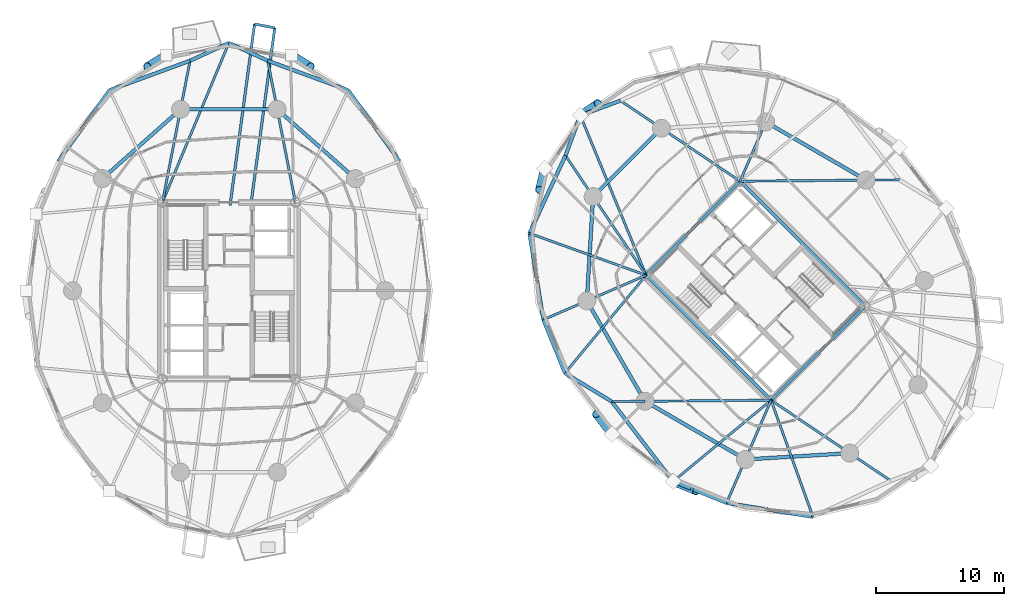
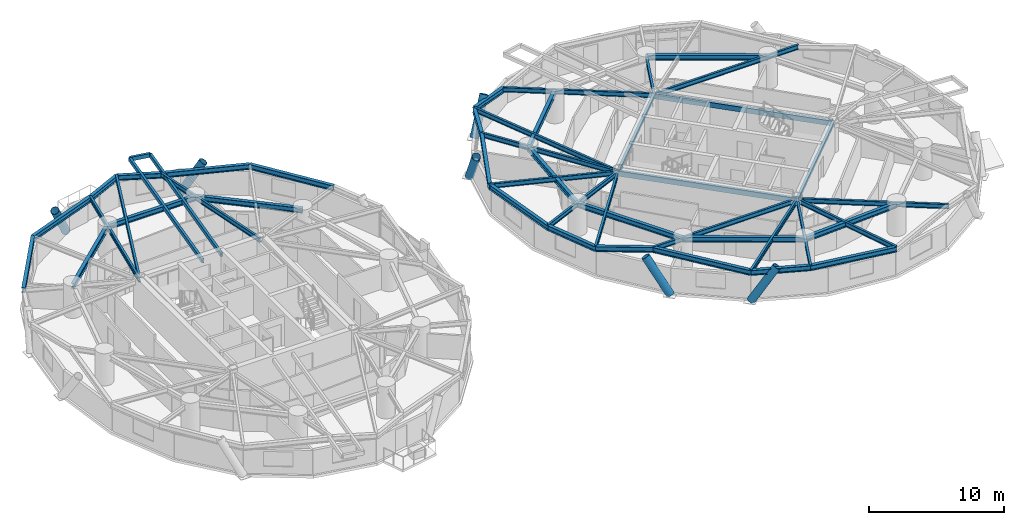
# One storey, part 5 of 18: 48 beams, 6 members.
"""IFC4 building model written with IfcOpenShell, lengths in metres."""

from ifc_helpers import new_model, si_unit, direction, frame, origin, origin_2d, place, context, subcontext, project, spatial, hollow_rectangle, hollow_circle, i_section, extrude, material, material_profile, profile_set, type_object, element, save


model = new_model("IFC4")

# Units and contexts
model_context = context("Model", 3, precision=1e-05, world=origin(), true_north=direction((0.0, 1.0)))
body_context = subcontext(model_context, "Body", "Model", "MODEL_VIEW")
ifc_project = project(units=[si_unit("LENGTHUNIT", "METRE"), si_unit("AREAUNIT", "SQUARE_METRE"), si_unit("VOLUMEUNIT", "CUBIC_METRE"), si_unit("PLANEANGLEUNIT", "RADIAN"), si_unit("MASSUNIT", "GRAM", prefix="KILO")], contexts=[model_context])

# Site, building, storey
site_placement = place(None, origin())
site = spatial("IfcSite", under=ifc_project, at=site_placement, CompositionType="ELEMENT")
building_placement = place(site_placement, origin())
building = spatial("IfcBuilding", under=site, at=building_placement, Name="Cununo Teusaquillo Station Towers", CompositionType="ELEMENT")
storey_placement = place(building_placement, frame((0.0, 0.0, 93.429931640625)))
storey = spatial("IfcBuildingStorey", under=building, at=storey_placement, Name="L29", CompositionType="ELEMENT", Elevation=93.429931640625)

# Beams
ifc_material_1 = material(Name="Steel EN 10025-2 S355J2", Category="steel")
ifc_material_profile_1 = material_profile(ifc_material_1, hollow_rectangle(XDim=0.199951171875, YDim=0.35009765625, WallThickness=0.013916015625, at=origin_2d()), Name="RHS 350x200x14")
ifc_profile_set_1 = profile_set([ifc_material_profile_1], Name="Steel EN 10025-2 S355J2")
beam_type_1 = type_object("IfcBeamType", Name="BM-BAL-CANT", PredefinedType="BEAM", material=ifc_profile_set_1)
beam_1_placement = place(storey_placement, frame((18.206298828125, 31.14990234375, 2.4951171875), z_axis=(0.133960678738, 0.990986648019, 0.0), x_axis=(-0.990986648019, 0.133960678738, 0.0)))
element("IfcBeam", 1, at=beam_1_placement, inside=storey, type_object=beam_type_1, Name="L29 Tower A Balcony Cantilever Bracket 1A", PredefinedType="BEAM", context=body_context, shape_type="SweptSolid", body=[
    extrude(hollow_rectangle(XDim=0.199951171875, YDim=0.35009765625, WallThickness=0.013916015625, at=origin_2d()), origin(), (0.0, 0.0, 1.0), 13.9345703125),
])
beam_2_placement = place(storey_placement, frame((16.59130859375, 31.14990234375, 2.4951171875), z_axis=(0.133936551357, 0.990989909237, 0.0), x_axis=(-0.990989909237, 0.133936551357, 0.0)))
element("IfcBeam", 2, at=beam_2_placement, inside=storey, type_object=beam_type_1, Name="L29 Tower A Balcony Cantilever Bracket 1B", PredefinedType="BEAM", context=body_context, shape_type="SweptSolid", body=[
    extrude(hollow_rectangle(XDim=0.199951171875, YDim=0.35009765625, WallThickness=0.013916015625, at=origin_2d()), origin(), (0.0, 0.0, 1.0), 14.24169921875),
])
ifc_material_2 = material(Name="Steel EN 10025-2 S355J2", Category="steel")
ifc_material_profile_2 = material_profile(ifc_material_2, hollow_rectangle(XDim=0.25, YDim=0.449951171875, WallThickness=0.01611328125, at=origin_2d()), Name="RHS 450x250x16")
ifc_profile_set_2 = profile_set([ifc_material_profile_2], Name="Steel EN 10025-2 S355J2")
beam_type_2 = type_object("IfcBeamType", Name="BM-COUP-1", PredefinedType="USERDEFINED", material=ifc_profile_set_2)
for number, where, z_axis, x_axis, name in (
    (3, (58.70556640625, 15.975830078125, 2.445068359375), (-0.707106781187, 0.707106781187, 0.0), (-0.707106781187, -0.707106781187, 0.0), "L29 Tower B Core Beam 1"),
    (4, (66.024169921875, 23.29443359375, 2.445068359375), (-0.707106781187, 0.707106781187, 0.0), (-0.707106781187, -0.707106781187, 0.0), "L29 Tower B Core Beam 2"),
):
    element("IfcBeam", number, at=place(storey_placement, frame(where, z_axis=z_axis, x_axis=x_axis)), inside=storey, type_object=beam_type_2, Name=name, ObjectType="COUPLING BEAM", PredefinedType="USERDEFINED", context=body_context, shape_type="SweptSolid", body=[
        extrude(hollow_rectangle(XDim=0.25, YDim=0.449951171875, WallThickness=0.01611328125, at=origin_2d()), origin(), (0.0, 0.0, 1.0), 13.760009765625),
    ])
ifc_material_3 = material(Name="Steel ASTM A572 Grade 50", Category="steel")
ifc_material_profile_3 = material_profile(ifc_material_3, i_section(OverallWidth=0.180908203125, OverallDepth=0.4169921875, WebThickness=0.010986328125, FlangeThickness=0.018310546875, FilletRadius=0.012939453125, at=origin_2d()), Name="W16X57")
ifc_profile_set_3 = profile_set([ifc_material_profile_3], Name="Steel ASTM A572 Grade 50")
beam_type_3 = type_object("IfcBeamType", Name="BM-JOIST-1", PredefinedType="JOIST", material=ifc_profile_set_3)
beam_3_placement = place(storey_placement, frame((11.324951171875, 31.3798828125, 2.461669921875), z_axis=(0.38487837995, 0.922967297713, 0.0), x_axis=(-0.922967297713, 0.38487837995, 0.0)))
element("IfcBeam", 5, at=beam_3_placement, inside=storey, type_object=beam_type_3, Name="L29 Tower A Radial Spandrel Joist V05", PredefinedType="JOIST", context=body_context, shape_type="SweptSolid", body=[
    extrude(i_section(OverallWidth=0.180908203125, OverallDepth=0.4169921875, WebThickness=0.010986328125, FlangeThickness=0.018310546875, FilletRadius=0.012939453125, at=origin_2d()), origin(), (0.0, 0.0, 1.0), 13.446044921875),
])
beam_4_placement = place(storey_placement, frame((48.975830078125, 25.70556640625, 2.461669921875), z_axis=(-0.380485864505, 0.924786735908, 0.0), x_axis=(-0.924786735908, -0.380485864505, 0.0)))
element("IfcBeam", 6, at=beam_4_placement, inside=storey, type_object=beam_type_3, Name="L29 Tower B Radial Spandrel Joist V05", PredefinedType="JOIST", context=body_context, shape_type="SweptSolid", body=[
    extrude(i_section(OverallWidth=0.180908203125, OverallDepth=0.4169921875, WebThickness=0.010986328125, FlangeThickness=0.018310546875, FilletRadius=0.012939453125, at=origin_2d()), origin(), (0.0, 0.0, 1.0), 13.44580078125),
])
beam_5_placement = place(storey_placement, frame((48.975830078125, 25.70556640625, 2.461669921875), z_axis=(-0.941082771055, 0.338176312038, 0.0), x_axis=(-0.338176312038, -0.941082771055, 0.0)))
element("IfcBeam", 7, at=beam_5_placement, inside=storey, type_object=beam_type_3, Name="L29 Tower B Radial Spandrel Joist V07", PredefinedType="JOIST", context=body_context, shape_type="SweptSolid", body=[
    extrude(i_section(OverallWidth=0.180908203125, OverallDepth=0.4169921875, WebThickness=0.010986328125, FlangeThickness=0.018310546875, FilletRadius=0.012939453125, at=origin_2d()), origin(), (0.0, 0.0, 1.0), 9.646484375),
])
for number, where, z_axis, x_axis, name in (
    (8, (48.975830078125, 25.70556640625, 2.461669921875), (-0.638372238196, -0.769727799615, 0.0), (0.769727799615, -0.638372238196, 0.0), "L29 Tower B Radial Spandrel Joist V09"),
    (9, (58.70556640625, 15.975830078125, 2.461669921875), (-0.769727799615, -0.638372238196, 0.0), (0.638372238196, -0.769727799615, 0.0), "L29 Tower B Radial Spandrel Joist V11"),
):
    element("IfcBeam", number, at=place(storey_placement, frame(where, z_axis=z_axis, x_axis=x_axis)), inside=storey, type_object=beam_type_3, Name=name, PredefinedType="JOIST", context=body_context, shape_type="SweptSolid", body=[
        extrude(i_section(OverallWidth=0.180908203125, OverallDepth=0.4169921875, WebThickness=0.010986328125, FlangeThickness=0.018310546875, FilletRadius=0.012939453125, at=origin_2d()), origin(), (0.0, 0.0, 1.0), 9.895263671875),
    ])
beam_6_placement = place(storey_placement, frame((58.70556640625, 15.975830078125, 2.461669921875), z_axis=(0.338176312038, -0.941082771055, 0.0), x_axis=(0.941082771055, 0.338176312038, 0.0)))
element("IfcBeam", 10, at=beam_6_placement, inside=storey, type_object=beam_type_3, Name="L29 Tower B Radial Spandrel Joist V13", PredefinedType="JOIST", context=body_context, shape_type="SweptSolid", body=[
    extrude(i_section(OverallWidth=0.180908203125, OverallDepth=0.4169921875, WebThickness=0.010986328125, FlangeThickness=0.018310546875, FilletRadius=0.012939453125, at=origin_2d()), origin(), (0.0, 0.0, 1.0), 9.646484375),
])
ifc_material_4 = material(Name="Steel ASTM A572 Grade 50", Category="steel")
ifc_material_profile_4 = material_profile(ifc_material_4, i_section(OverallWidth=0.2041015625, OverallDepth=0.35009765625, WebThickness=0.008544921875, FlangeThickness=0.01513671875, FilletRadius=0.011962890625, at=origin_2d()), Name="W14X48")
ifc_profile_set_4 = profile_set([ifc_material_profile_4], Name="Steel ASTM A572 Grade 50")
beam_type_4 = type_object("IfcBeamType", Name="BM-LINTEL-1", PredefinedType="LINTEL", material=ifc_profile_set_4)
for number, where, z_axis, x_axis, name in (
    (11, (58.70556640625, 15.975830078125, 2.4951171875), (0.707106781187, 0.707106781187, 0.0), (-0.707106781187, 0.707106781187, 0.0), "L29 Tower B Core Beam 3"),
    (12, (48.975830078125, 25.70556640625, 2.4951171875), (0.707106781187, 0.707106781187, 0.0), (-0.707106781187, 0.707106781187, 0.0), "L29 Tower B Core Beam 4"),
):
    element("IfcBeam", number, at=place(storey_placement, frame(where, z_axis=z_axis, x_axis=x_axis)), inside=storey, type_object=beam_type_4, Name=name, PredefinedType="LINTEL", context=body_context, shape_type="SweptSolid", body=[
        extrude(i_section(OverallWidth=0.2041015625, OverallDepth=0.35009765625, WebThickness=0.008544921875, FlangeThickness=0.01513671875, FilletRadius=0.011962890625, at=origin_2d()), origin(), (0.0, 0.0, 1.0), 10.35009765625),
    ])
ifc_material_5 = material(Name="Steel ASTM A572 Grade 50", Category="steel")
ifc_material_profile_5 = material_profile(ifc_material_5, i_section(OverallWidth=0.180908203125, OverallDepth=0.4169921875, WebThickness=0.010986328125, FlangeThickness=0.018310546875, FilletRadius=0.012939453125, at=origin_2d()), Name="W16X57")
ifc_profile_set_5 = profile_set([ifc_material_profile_5], Name="Steel ASTM A572 Grade 50")
beam_type_5 = type_object("IfcBeamType", Name="BM-RAD-G2", PredefinedType="BEAM", material=ifc_profile_set_5)
for number, where, z_axis, x_axis, name in (
    (13, (21.675048828125, 31.3798828125, 2.461669921875), (-0.191552755713, 0.981482318628, 0.0), (-0.981482318628, -0.191552755713, 0.0), "L29 Tower A Continuous Overhanging Radial Girder 03"),
    (14, (11.324951171875, 31.3798828125, 2.461669921875), (0.191552755713, 0.981482318628, 0.0), (-0.981482318628, 0.191552755713, 0.0), "L29 Tower A Continuous Overhanging Radial Girder 04"),
):
    element("IfcBeam", number, at=place(storey_placement, frame(where, z_axis=z_axis, x_axis=x_axis)), inside=storey, type_object=beam_type_5, Name=name, PredefinedType="BEAM", context=body_context, shape_type="SweptSolid", body=[
        extrude(i_section(OverallWidth=0.180908203125, OverallDepth=0.4169921875, WebThickness=0.010986328125, FlangeThickness=0.018310546875, FilletRadius=0.012939453125, at=origin_2d()), origin(), (0.0, 0.0, 1.0), 11.22998046875),
    ])
beam_7_placement = place(storey_placement, frame((56.29443359375, 33.024169921875, 2.461669921875), z_axis=(0.999964331255, 0.008446077024, 0.0), x_axis=(-0.008446077024, 0.999964331255, 0.0)))
element("IfcBeam", 15, at=beam_7_placement, inside=storey, type_object=beam_type_5, Name="L29 Tower B Continuous Overhanging Radial Girder 01", PredefinedType="BEAM", context=body_context, shape_type="SweptSolid", body=[
    extrude(i_section(OverallWidth=0.180908203125, OverallDepth=0.4169921875, WebThickness=0.010986328125, FlangeThickness=0.018310546875, FilletRadius=0.012939453125, at=origin_2d()), origin(), (0.0, 0.0, 1.0), 12.400634765625),
])
beam_8_placement = place(storey_placement, frame((56.29443359375, 33.024169921875, 2.461669921875), z_axis=(0.397346986387, 0.917668443616, 0.0), x_axis=(-0.917668443616, 0.397346986387, 0.0)))
element("IfcBeam", 16, at=beam_8_placement, inside=storey, type_object=beam_type_5, Name="L29 Tower B Radial Girder 02A", PredefinedType="BEAM", context=body_context, shape_type="SweptSolid", body=[
    extrude(i_section(OverallWidth=0.180908203125, OverallDepth=0.4169921875, WebThickness=0.010986328125, FlangeThickness=0.018310546875, FilletRadius=0.012939453125, at=origin_2d()), origin(), (0.0, 0.0, 1.0), 5.02490234375),
])
for number, where, z_axis, x_axis, name in (
    (17, (56.29443359375, 33.024169921875, 2.461669921875), (-0.82945583878, 0.558572297481, 0.0), (-0.558572297481, -0.82945583878, 0.0), "L29 Tower B Continuous Overhanging Radial Girder 03"),
    (18, (48.975830078125, 25.70556640625, 2.461669921875), (-0.558572297481, 0.82945583878, 0.0), (-0.82945583878, -0.558572297481, 0.0), "L29 Tower B Continuous Overhanging Radial Girder 04"),
):
    element("IfcBeam", number, at=place(storey_placement, frame(where, z_axis=z_axis, x_axis=x_axis)), inside=storey, type_object=beam_type_5, Name=name, PredefinedType="BEAM", context=body_context, shape_type="SweptSolid", body=[
        extrude(i_section(OverallWidth=0.180908203125, OverallDepth=0.4169921875, WebThickness=0.010986328125, FlangeThickness=0.018310546875, FilletRadius=0.012939453125, at=origin_2d()), origin(), (0.0, 0.0, 1.0), 11.22998046875),
    ])
beam_9_placement = place(storey_placement, frame((48.975830078125, 25.70556640625, 2.461669921875), z_axis=(-0.917654733344, -0.397378648609, 0.0), x_axis=(0.397378648609, -0.917654733344, 0.0)))
element("IfcBeam", 19, at=beam_9_placement, inside=storey, type_object=beam_type_5, Name="L29 Tower B Continuous Overhanging Radial Girder 05", PredefinedType="BEAM", context=body_context, shape_type="SweptSolid", body=[
    extrude(i_section(OverallWidth=0.180908203125, OverallDepth=0.4169921875, WebThickness=0.010986328125, FlangeThickness=0.018310546875, FilletRadius=0.012939453125, at=origin_2d()), origin(), (0.0, 0.0, 1.0), 8.71484375),
])
beam_10_placement = place(storey_placement, frame((58.70556640625, 15.975830078125, 2.461669921875), z_axis=(-0.999964431382, -0.008434214327, 0.0), x_axis=(0.008434214327, -0.999964431382, 0.0)))
element("IfcBeam", 20, at=beam_10_placement, inside=storey, type_object=beam_type_5, Name="L29 Tower B Radial Girder 06A", PredefinedType="BEAM", context=body_context, shape_type="SweptSolid", body=[
    extrude(i_section(OverallWidth=0.180908203125, OverallDepth=0.4169921875, WebThickness=0.010986328125, FlangeThickness=0.018310546875, FilletRadius=0.012939453125, at=origin_2d()), origin(), (0.0, 0.0, 1.0), 9.812744140625),
])
beam_11_placement = place(storey_placement, frame((48.89306640625, 15.89306640625, 2.461669921875), z_axis=(-0.999963950292, -0.008491060999, 0.0), x_axis=(0.008491060999, -0.999963950292, 0.0)))
element("IfcBeam", 21, at=beam_11_placement, inside=storey, type_object=beam_type_5, Name="L29 Tower B Perimeter Overhang Girder 06B", PredefinedType="BEAM", context=body_context, shape_type="SweptSolid", body=[
    extrude(i_section(OverallWidth=0.180908203125, OverallDepth=0.4169921875, WebThickness=0.010986328125, FlangeThickness=0.018310546875, FilletRadius=0.012939453125, at=origin_2d()), origin(), (0.0, 0.0, 1.0), 2.587646484375),
])
beam_12_placement = place(storey_placement, frame((58.70556640625, 15.975830078125, 2.461669921875), z_axis=(-0.397378648609, -0.917654733344, 0.0), x_axis=(0.917654733344, -0.397378648609, 0.0)))
element("IfcBeam", 22, at=beam_12_placement, inside=storey, type_object=beam_type_5, Name="L29 Tower B Continuous Overhanging Radial Girder 07", PredefinedType="BEAM", context=body_context, shape_type="SweptSolid", body=[
    extrude(i_section(OverallWidth=0.180908203125, OverallDepth=0.4169921875, WebThickness=0.010986328125, FlangeThickness=0.018310546875, FilletRadius=0.012939453125, at=origin_2d()), origin(), (0.0, 0.0, 1.0), 8.71484375),
])
beam_13_placement = place(storey_placement, frame((58.70556640625, 15.975830078125, 2.461669921875), z_axis=(0.82945583878, -0.558572297481, 0.0), x_axis=(0.558572297481, 0.82945583878, 0.0)))
element("IfcBeam", 23, at=beam_13_placement, inside=storey, type_object=beam_type_5, Name="L29 Tower B Continuous Overhanging Radial Girder 08", PredefinedType="BEAM", context=body_context, shape_type="SweptSolid", body=[
    extrude(i_section(OverallWidth=0.180908203125, OverallDepth=0.4169921875, WebThickness=0.010986328125, FlangeThickness=0.018310546875, FilletRadius=0.012939453125, at=origin_2d()), origin(), (0.0, 0.0, 1.0), 11.22998046875),
])
ifc_material_6 = material(Name="Steel ASTM A572 Grade 50", Category="steel")
ifc_material_profile_6 = material_profile(ifc_material_6, i_section(OverallWidth=0.280029296875, OverallDepth=0.462890625, WebThickness=0.0107421875, FlangeThickness=0.017333984375, FilletRadius=0.013916015625, at=origin_2d()), Name="W18X76")
ifc_profile_set_6 = profile_set([ifc_material_profile_6], Name="Steel ASTM A572 Grade 50")
beam_type_6 = type_object("IfcBeamType", Name="BM-RING-Z2", PredefinedType="SPANDREL", material=ifc_profile_set_6)
beam_14_placement = place(storey_placement, frame((26.347412109375, 33.228515625, 2.4384765625), z_axis=(-0.74832120039, 0.66333655187, 0.0), x_axis=(-0.66333655187, -0.74832120039, 0.0)))
element("IfcBeam", 24, at=beam_14_placement, inside=storey, type_object=beam_type_6, Name="L29 Tower A Structural Column Ring Girder 02", PredefinedType="SPANDREL", context=body_context, shape_type="SweptSolid", body=[
    extrude(i_section(OverallWidth=0.280029296875, OverallDepth=0.462890625, WebThickness=0.0107421875, FlangeThickness=0.017333984375, FilletRadius=0.013916015625, at=origin_2d()), origin(), (0.0, 0.0, 1.0), 8.1328125),
])
beam_15_placement = place(storey_placement, frame((20.261474609375, 38.623291015625, 2.4384765625), z_axis=(-1.0, 0.0, 0.0), x_axis=(0.0, -1.0, 0.0)))
element("IfcBeam", 25, at=beam_15_placement, inside=storey, type_object=beam_type_6, Name="L29 Tower A Structural Column Ring Girder 03", PredefinedType="SPANDREL", context=body_context, shape_type="SweptSolid", body=[
    extrude(i_section(OverallWidth=0.280029296875, OverallDepth=0.462890625, WebThickness=0.0107421875, FlangeThickness=0.017333984375, FilletRadius=0.013916015625, at=origin_2d()), origin(), (0.0, 0.0, 1.0), 7.52294921875),
])
beam_16_placement = place(storey_placement, frame((12.738525390625, 38.623291015625, 2.4384765625), z_axis=(-0.74832120039, -0.66333655187, 0.0), x_axis=(0.66333655187, -0.74832120039, 0.0)))
element("IfcBeam", 26, at=beam_16_placement, inside=storey, type_object=beam_type_6, Name="L29 Tower A Structural Column Ring Girder 04", PredefinedType="SPANDREL", context=body_context, shape_type="SweptSolid", body=[
    extrude(i_section(OverallWidth=0.280029296875, OverallDepth=0.462890625, WebThickness=0.0107421875, FlangeThickness=0.017333984375, FilletRadius=0.013916015625, at=origin_2d()), origin(), (0.0, 0.0, 1.0), 8.1328125),
])
beam_17_placement = place(storey_placement, frame((29.77880859375, 34.586181640625, 2.4384765625), z_axis=(-0.58594455724, 0.810351143543, 0.0), x_axis=(-0.810351143543, -0.58594455724, 0.0)))
element("IfcBeam", 27, at=beam_17_placement, inside=storey, type_object=beam_type_6, Name="L29 Tower A Spandrel Ring Beam 03", PredefinedType="SPANDREL", context=body_context, shape_type="SweptSolid", body=[
    extrude(i_section(OverallWidth=0.280029296875, OverallDepth=0.462890625, WebThickness=0.0107421875, FlangeThickness=0.017333984375, FilletRadius=0.013916015625, at=origin_2d()), origin(), (0.0, 0.0, 1.0), 6.8115234375),
])
beam_18_placement = place(storey_placement, frame((25.78759765625, 40.10595703125, 2.4384765625), z_axis=(-0.938914161016, 0.34415141761, 0.0), x_axis=(-0.34415141761, -0.938914161016, 0.0)))
element("IfcBeam", 28, at=beam_18_placement, inside=storey, type_object=beam_type_6, Name="L29 Tower A Spandrel Ring Beam 04", PredefinedType="SPANDREL", context=body_context, shape_type="SweptSolid", body=[
    extrude(i_section(OverallWidth=0.280029296875, OverallDepth=0.462890625, WebThickness=0.0107421875, FlangeThickness=0.017333984375, FilletRadius=0.013916015625, at=origin_2d()), origin(), (0.0, 0.0, 1.0), 6.671142578125),
])
for number, where, z_axis, x_axis, name in (
    (29, (19.52392578125, 42.40185546875, 2.4384765625), (-0.908812215281, 0.417205413862, 0.0), (-0.417205413862, -0.908812215281, 0.0), "L29 Tower A Spandrel Ring Beam 05"),
    (30, (16.5, 43.7900390625, 2.4384765625), (-0.908812215281, -0.417205413862, 0.0), (0.417205413862, -0.908812215281, 0.0), "L29 Tower A Spandrel Ring Beam 06"),
):
    element("IfcBeam", number, at=place(storey_placement, frame(where, z_axis=z_axis, x_axis=x_axis)), inside=storey, type_object=beam_type_6, Name=name, PredefinedType="SPANDREL", context=body_context, shape_type="SweptSolid", body=[
        extrude(i_section(OverallWidth=0.280029296875, OverallDepth=0.462890625, WebThickness=0.0107421875, FlangeThickness=0.017333984375, FilletRadius=0.013916015625, at=origin_2d()), origin(), (0.0, 0.0, 1.0), 3.327392578125),
    ])
beam_19_placement = place(storey_placement, frame((13.47607421875, 42.40185546875, 2.4384765625), z_axis=(-0.938914161016, -0.34415141761, 0.0), x_axis=(0.34415141761, -0.938914161016, 0.0)))
element("IfcBeam", 31, at=beam_19_placement, inside=storey, type_object=beam_type_6, Name="L29 Tower A Spandrel Ring Beam 07", PredefinedType="SPANDREL", context=body_context, shape_type="SweptSolid", body=[
    extrude(i_section(OverallWidth=0.280029296875, OverallDepth=0.462890625, WebThickness=0.0107421875, FlangeThickness=0.017333984375, FilletRadius=0.013916015625, at=origin_2d()), origin(), (0.0, 0.0, 1.0), 6.671142578125),
])
beam_20_placement = place(storey_placement, frame((7.21240234375, 40.10595703125, 2.4384765625), z_axis=(-0.58594455724, -0.810351143543, 0.0), x_axis=(0.810351143543, -0.58594455724, 0.0)))
element("IfcBeam", 32, at=beam_20_placement, inside=storey, type_object=beam_type_6, Name="L29 Tower A Spandrel Ring Beam 08", PredefinedType="SPANDREL", context=body_context, shape_type="SweptSolid", body=[
    extrude(i_section(OverallWidth=0.280029296875, OverallDepth=0.462890625, WebThickness=0.0107421875, FlangeThickness=0.017333984375, FilletRadius=0.013916015625, at=origin_2d()), origin(), (0.0, 0.0, 1.0), 6.8115234375),
])
beam_21_placement = place(storey_placement, frame((66.10693359375, 33.10693359375, 2.4384765625), z_axis=(-0.865267103202, 0.501311121078, 0.0), x_axis=(-0.501311121078, -0.865267103202, 0.0)))
element("IfcBeam", 33, at=beam_21_placement, inside=storey, type_object=beam_type_6, Name="L29 Tower B Structural Column Ring Girder 01", PredefinedType="SPANDREL", context=body_context, shape_type="SweptSolid", body=[
    extrude(i_section(OverallWidth=0.280029296875, OverallDepth=0.462890625, WebThickness=0.0107421875, FlangeThickness=0.017333984375, FilletRadius=0.013916015625, at=origin_2d()), origin(), (0.0, 0.0, 1.0), 9.032958984375),
])
beam_22_placement = place(storey_placement, frame((50.173095703125, 37.146240234375, 2.4384765625), z_axis=(-0.707106781187, -0.707106781187, 0.0), x_axis=(0.707106781187, -0.707106781187, 0.0)))
element("IfcBeam", 34, at=beam_22_placement, inside=storey, type_object=beam_type_6, Name="L29 Tower B Structural Column Ring Girder 03", PredefinedType="SPANDREL", context=body_context, shape_type="SweptSolid", body=[
    extrude(i_section(OverallWidth=0.280029296875, OverallDepth=0.462890625, WebThickness=0.0107421875, FlangeThickness=0.017333984375, FilletRadius=0.013916015625, at=origin_2d()), origin(), (0.0, 0.0, 1.0), 7.522705078125),
])
beam_23_placement = place(storey_placement, frame((44.853759765625, 31.826904296875, 2.4384765625), z_axis=(-0.06012979176, -0.998190567048, 0.0), x_axis=(0.998190567048, -0.06012979176, 0.0)))
element("IfcBeam", 35, at=beam_23_placement, inside=storey, type_object=beam_type_6, Name="L29 Tower B Structural Column Ring Girder 04", PredefinedType="SPANDREL", context=body_context, shape_type="SweptSolid", body=[
    extrude(i_section(OverallWidth=0.280029296875, OverallDepth=0.462890625, WebThickness=0.0107421875, FlangeThickness=0.017333984375, FilletRadius=0.013916015625, at=origin_2d()), origin(), (0.0, 0.0, 1.0), 8.132568359375),
])
for number, where, z_axis, x_axis, name in (
    (36, (44.36474609375, 23.708984375, 2.4384765625), (0.501311121078, -0.865267103202, 0.0), (0.865267103202, 0.501311121078, 0.0), "L29 Tower B Structural Column Ring Girder 05"),
    (37, (48.89306640625, 15.89306640625, 2.4384765625), (0.865267103202, -0.501311121078, 0.0), (0.501311121078, 0.865267103202, 0.0), "L29 Tower B Structural Column Ring Girder 06"),
):
    element("IfcBeam", number, at=place(storey_placement, frame(where, z_axis=z_axis, x_axis=x_axis)), inside=storey, type_object=beam_type_6, Name=name, PredefinedType="SPANDREL", context=body_context, shape_type="SweptSolid", body=[
        extrude(i_section(OverallWidth=0.280029296875, OverallDepth=0.462890625, WebThickness=0.0107421875, FlangeThickness=0.017333984375, FilletRadius=0.013916015625, at=origin_2d()), origin(), (0.0, 0.0, 1.0), 9.032958984375),
    ])
beam_24_placement = place(storey_placement, frame((56.708984375, 11.36474609375, 2.4384765625), z_axis=(0.998190567048, 0.06012979176, 0.0), x_axis=(-0.06012979176, 0.998190567048, 0.0)))
element("IfcBeam", 38, at=beam_24_placement, inside=storey, type_object=beam_type_6, Name="L29 Tower B Structural Column Ring Girder 07", PredefinedType="SPANDREL", context=body_context, shape_type="SweptSolid", body=[
    extrude(i_section(OverallWidth=0.280029296875, OverallDepth=0.462890625, WebThickness=0.0107421875, FlangeThickness=0.017333984375, FilletRadius=0.013916015625, at=origin_2d()), origin(), (0.0, 0.0, 1.0), 8.132568359375),
])
for number, where, z_axis, x_axis, name in (
    (39, (46.979736328125, 39.296875, 2.4384765625), (-0.937628334414, -0.347639333943, 0.0), (0.347639333943, -0.937628334414, 0.0), "L29 Tower B Spandrel Ring Beam 05"),
    (40, (43.85986328125, 38.14013671875, 2.4384765625), (-0.347639333943, -0.937628334414, 0.0), (0.937628334414, -0.347639333943, 0.0), "L29 Tower B Spandrel Ring Beam 06"),
):
    element("IfcBeam", number, at=place(storey_placement, frame(where, z_axis=z_axis, x_axis=x_axis)), inside=storey, type_object=beam_type_6, Name=name, PredefinedType="SPANDREL", context=body_context, shape_type="SweptSolid", body=[
        extrude(i_section(OverallWidth=0.280029296875, OverallDepth=0.462890625, WebThickness=0.0107421875, FlangeThickness=0.017333984375, FilletRadius=0.013916015625, at=origin_2d()), origin(), (0.0, 0.0, 1.0), 3.327392578125),
    ])
beam_25_placement = place(storey_placement, frame((42.703125, 35.020263671875, 2.4384765625), z_axis=(-0.420535961689, -0.907275870354, 0.0), x_axis=(0.907275870354, -0.420535961689, 0.0)))
element("IfcBeam", 41, at=beam_25_placement, inside=storey, type_object=beam_type_6, Name="L29 Tower B Spandrel Ring Beam 07", PredefinedType="SPANDREL", context=body_context, shape_type="SweptSolid", body=[
    extrude(i_section(OverallWidth=0.280029296875, OverallDepth=0.462890625, WebThickness=0.0107421875, FlangeThickness=0.017333984375, FilletRadius=0.013916015625, at=origin_2d()), origin(), (0.0, 0.0, 1.0), 6.671142578125),
])
beam_26_placement = place(storey_placement, frame((39.897705078125, 28.9677734375, 2.4384765625), z_axis=(0.158671232312, -0.987331474246, 0.0), x_axis=(0.987331474246, 0.158671232312, 0.0)))
element("IfcBeam", 42, at=beam_26_placement, inside=storey, type_object=beam_type_6, Name="L29 Tower B Spandrel Ring Beam 08", PredefinedType="SPANDREL", context=body_context, shape_type="SweptSolid", body=[
    extrude(i_section(OverallWidth=0.280029296875, OverallDepth=0.462890625, WebThickness=0.0107421875, FlangeThickness=0.017333984375, FilletRadius=0.013916015625, at=origin_2d()), origin(), (0.0, 0.0, 1.0), 6.8115234375),
])
beam_27_placement = place(storey_placement, frame((40.978515625, 22.242431640625, 2.4384765625), z_axis=(0.375042266631, -0.927007712072, 0.0), x_axis=(0.927007712072, 0.375042266631, 0.0)))
element("IfcBeam", 43, at=beam_27_placement, inside=storey, type_object=beam_type_6, Name="L29 Tower B Spandrel Ring Beam 09", PredefinedType="SPANDREL", context=body_context, shape_type="SweptSolid", body=[
    extrude(i_section(OverallWidth=0.280029296875, OverallDepth=0.462890625, WebThickness=0.0107421875, FlangeThickness=0.017333984375, FilletRadius=0.013916015625, at=origin_2d()), origin(), (0.0, 0.0, 1.0), 4.480712890625),
])
beam_28_placement = place(storey_placement, frame((42.658935546875, 18.0888671875, 2.4384765625), z_axis=(0.854388492444, -0.519634779416, 0.0), x_axis=(0.519634779416, 0.854388492444, 0.0)))
element("IfcBeam", 44, at=beam_28_placement, inside=storey, type_object=beam_type_6, Name="L29 Tower B Spandrel Ring Beam 10", PredefinedType="SPANDREL", context=body_context, shape_type="SweptSolid", body=[
    extrude(i_section(OverallWidth=0.280029296875, OverallDepth=0.462890625, WebThickness=0.0107421875, FlangeThickness=0.017333984375, FilletRadius=0.013916015625, at=origin_2d()), origin(), (0.0, 0.0, 1.0), 4.26806640625),
])
beam_29_placement = place(storey_placement, frame((46.305419921875, 15.87109375, 2.4384765625), z_axis=(0.610100441726, -0.792324082056, 0.0), x_axis=(0.792324082056, 0.610100441726, 0.0)))
element("IfcBeam", 45, at=beam_29_placement, inside=storey, type_object=beam_type_6, Name="L29 Tower B Spandrel Ring Beam 11", PredefinedType="SPANDREL", context=body_context, shape_type="SweptSolid", body=[
    extrude(i_section(OverallWidth=0.280029296875, OverallDepth=0.462890625, WebThickness=0.0107421875, FlangeThickness=0.017333984375, FilletRadius=0.013916015625, at=origin_2d()), origin(), (0.0, 0.0, 1.0), 7.84033203125),
])
beam_30_placement = place(storey_placement, frame((51.0888671875, 9.658935546875, 2.4384765625), z_axis=(0.927007712072, -0.375042266631, 0.0), x_axis=(0.375042266631, 0.927007712072, 0.0)))
element("IfcBeam", 46, at=beam_30_placement, inside=storey, type_object=beam_type_6, Name="L29 Tower B Spandrel Ring Beam 12", PredefinedType="SPANDREL", context=body_context, shape_type="SweptSolid", body=[
    extrude(i_section(OverallWidth=0.280029296875, OverallDepth=0.462890625, WebThickness=0.0107421875, FlangeThickness=0.017333984375, FilletRadius=0.013916015625, at=origin_2d()), origin(), (0.0, 0.0, 1.0), 4.480712890625),
])
beam_31_placement = place(storey_placement, frame((55.242431640625, 7.978515625, 2.4384765625), z_axis=(0.987331474246, -0.158671232312, 0.0), x_axis=(0.158671232312, 0.987331474246, 0.0)))
element("IfcBeam", 47, at=beam_31_placement, inside=storey, type_object=beam_type_6, Name="L29 Tower B Spandrel Ring Beam 13", PredefinedType="SPANDREL", context=body_context, shape_type="SweptSolid", body=[
    extrude(i_section(OverallWidth=0.280029296875, OverallDepth=0.462890625, WebThickness=0.0107421875, FlangeThickness=0.017333984375, FilletRadius=0.013916015625, at=origin_2d()), origin(), (0.0, 0.0, 1.0), 6.8115234375),
])
ifc_material_7 = material(Name="Steel EN 10025-2 S355J2", Category="steel")
ifc_material_profile_7 = material_profile(ifc_material_7, hollow_rectangle(XDim=0.199951171875, YDim=0.35009765625, WallThickness=0.013916015625, at=origin_2d()), Name="RHS 350x200x14")
ifc_profile_set_7 = profile_set([ifc_material_profile_7], Name="Steel EN 10025-2 S355J2")
beam_type_7 = type_object("IfcBeamType", Name="BM-STAIR-TRIM", PredefinedType="BEAM", material=ifc_profile_set_7)
beam_32_placement = place(storey_placement, frame((20.072998046875, 44.958984375, 2.525146484375), z_axis=(-0.981836621572, 0.189728354603, 0.0), x_axis=(-0.189728354603, -0.981836621572, 0.0)))
element("IfcBeam", 48, at=beam_32_placement, inside=storey, type_object=beam_type_7, Name="L29 Tower A Balcony Edge Trimmer Beam 1", PredefinedType="BEAM", context=body_context, shape_type="SweptSolid", body=[
    extrude(hollow_rectangle(XDim=0.199951171875, YDim=0.35009765625, WallThickness=0.013916015625, at=origin_2d()), origin(), (0.0, 0.0, 1.0), 1.603271484375),
])

# Members
ifc_material_8 = material(Name="Steel EN 10025-2 S355J2", Category="steel")
ifc_material_profile_8 = material_profile(ifc_material_8, hollow_circle(Radius=0.330078125, WallThickness=0.02490234375, at=origin_2d()), Name="CHS 660x25")
ifc_profile_set_8 = profile_set([ifc_material_profile_8], Name="Steel EN 10025-2 S355J2")
member_type = type_object("IfcMemberType", Name="MBR-DIAG-Z2", PredefinedType="BRACE", material=ifc_profile_set_8)
for number, where, z_axis, x_axis, name in (
    (49, (21.3828125, 42.845947265625, -0.139892578125), (0.433768032271, -0.269824776975, 0.859674289432), (0.528195574716, 0.849122744278, 0.0), "L29 Tower A Folded-Zigzag Diagrid Tube C03"),
    (50, (11.6171875, 42.845947265625, -0.139892578125), (-0.433768032271, -0.269824776975, 0.859674289432), (0.528195574716, -0.849122744278, 0.0), "L29 Tower A Folded-Zigzag Diagrid Tube C06"),
):
    element("IfcMember", number, at=place(storey_placement, frame(where, z_axis=z_axis, x_axis=x_axis)), inside=storey, type_object=member_type, Name=name, PredefinedType="BRACE", context=body_context, shape_type="SweptSolid", body=[
        extrude(hollow_circle(Radius=0.330078125, WallThickness=0.02490234375, at=origin_2d()), origin(), (0.0, 0.0, 1.0), 3.385009765625),
    ])
member_1_placement = place(storey_placement, frame((43.85986328125, 38.14013671875, -0.139892578125), z_axis=(0.410124934173, 0.277231625428, 0.868872927552), x_axis=(-0.560024081213, 0.828476329452, 0.0)))
element("IfcMember", 51, at=member_1_placement, inside=storey, type_object=member_type, Name="L29 Tower B Folded-Zigzag Diagrid Tube C04", PredefinedType="BRACE", context=body_context, shape_type="SweptSolid", body=[
    extrude(hollow_circle(Radius=0.330078125, WallThickness=0.02490234375, at=origin_2d()), origin(), (0.0, 0.0, 1.0), 3.34912109375),
])
member_2_placement = place(storey_placement, frame((41.07470703125, 34.019775390625, -0.139892578125), z_axis=(-0.115906612964, -0.49752571016, 0.859670765352), x_axis=(0.973920299704, -0.226890391653, 0.0)))
element("IfcMember", 52, at=member_2_placement, inside=storey, type_object=member_type, Name="L29 Tower B Folded-Zigzag Diagrid Tube C06", PredefinedType="BRACE", context=body_context, shape_type="SweptSolid", body=[
    extrude(hollow_circle(Radius=0.330078125, WallThickness=0.02490234375, at=origin_2d()), origin(), (0.0, 0.0, 1.0), 3.385009765625),
])
member_3_placement = place(storey_placement, frame((46.326904296875, 13.326904296875, -0.139892578125), z_axis=(-0.34606419194, 0.449302990414, 0.823630012726), x_axis=(-0.792243348803, -0.610205273886, 0.0)))
element("IfcMember", 53, at=member_3_placement, inside=storey, type_object=member_type, Name="L29 Tower B Folded-Zigzag Diagrid Tube C09", PredefinedType="BRACE", context=body_context, shape_type="SweptSolid", body=[
    extrude(hollow_circle(Radius=0.330078125, WallThickness=0.02490234375, at=origin_2d()), origin(), (0.0, 0.0, 1.0), 3.532958984375),
])
member_4_placement = place(storey_placement, frame((51.0888671875, 9.658935546875, -0.139892578125), z_axis=(0.513514067291, -0.211085752623, 0.831712755543), x_axis=(0.380193455452, 0.924906987989, 0.0)))
element("IfcMember", 54, at=member_4_placement, inside=storey, type_object=member_type, Name="L29 Tower B Folded-Zigzag Diagrid Tube C11", PredefinedType="BRACE", context=body_context, shape_type="SweptSolid", body=[
    extrude(hollow_circle(Radius=0.330078125, WallThickness=0.02490234375, at=origin_2d()), origin(), (0.0, 0.0, 1.0), 3.498779296875),
])

save(model, "model.ifc")
